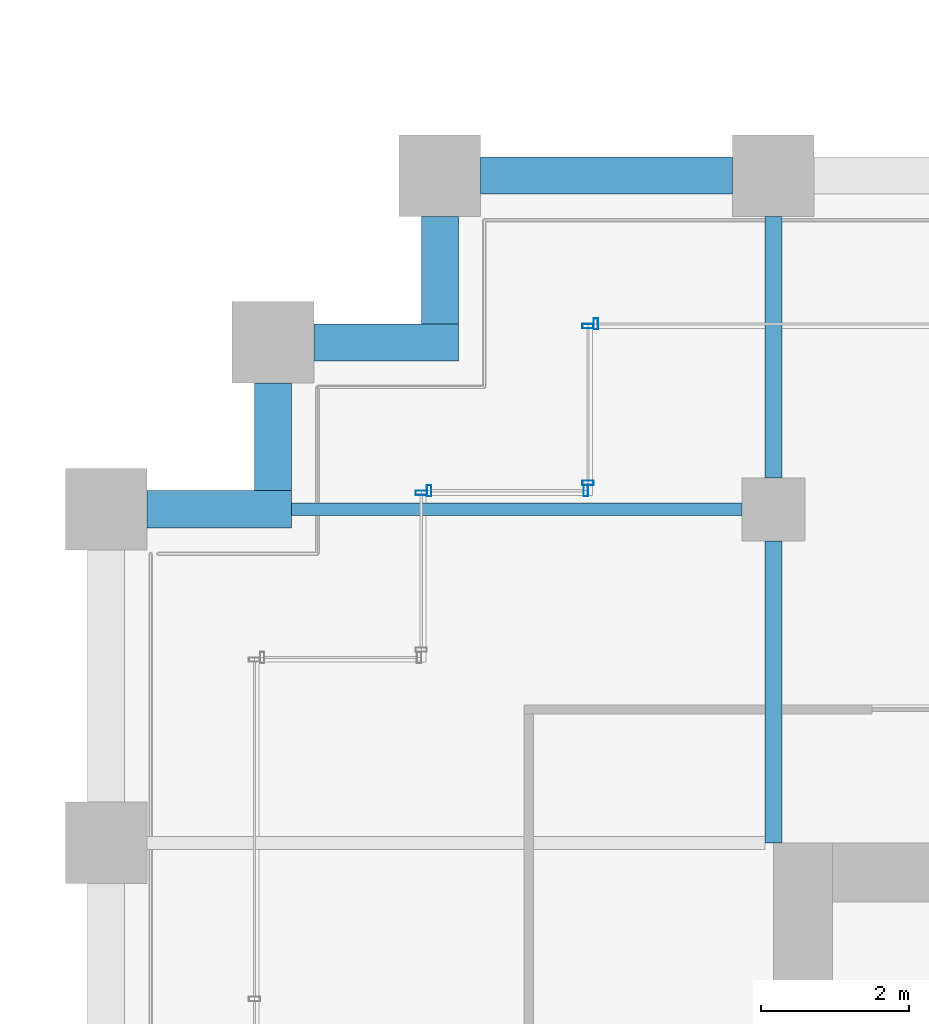
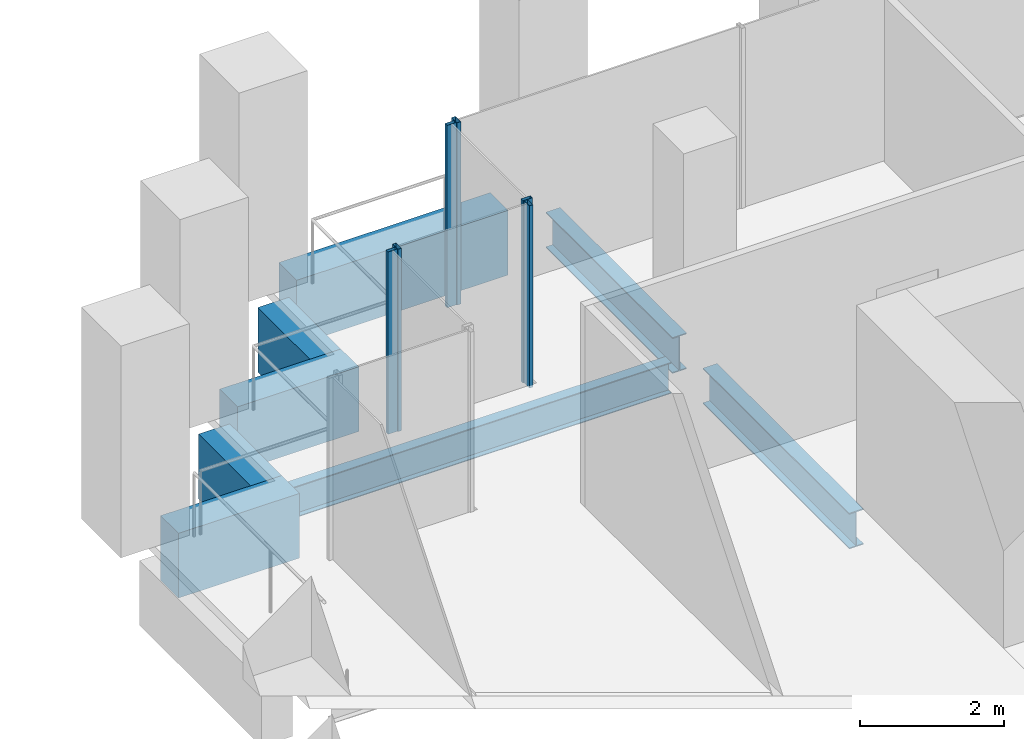
# One storey, part 41 of 54: 8 beams, 6 members, 4 elements without a shape of their own.
"""IFC4 building model written with IfcOpenShell, lengths in metres."""

from ifc_helpers import new_model, si_unit, direction, frame, origin, origin_2d, place, context, subcontext, project, spatial, rectangle, hollow_rectangle, i_section, extrude, material, material_profile, profile_set, type_object, element, aggregate, save


model = new_model("IFC4")

# Units and contexts
model_context = context("Model", 3, precision=1e-05, world=origin(), true_north=direction((0.0, 1.0)))
body_context = subcontext(model_context, "Body", "Model", "MODEL_VIEW")
ifc_project = project(units=[si_unit("LENGTHUNIT", "METRE"), si_unit("AREAUNIT", "SQUARE_METRE"), si_unit("VOLUMEUNIT", "CUBIC_METRE"), si_unit("PLANEANGLEUNIT", "RADIAN"), si_unit("MASSUNIT", "GRAM", prefix="KILO")], contexts=[model_context])

# Site, building, storey
site_placement = place(None, origin())
site = spatial("IfcSite", under=ifc_project, at=site_placement, CompositionType="ELEMENT")
building_placement = place(site_placement, origin())
building = spatial("IfcBuilding", under=site, at=building_placement, Name="Altepetl Exchange Towers", CompositionType="ELEMENT")
storey_placement = place(building_placement, frame((0.0, 0.0, 58.199951171875)))
storey = spatial("IfcBuildingStorey", under=building, at=storey_placement, Name="L13", CompositionType="ELEMENT", Elevation=58.199951171875)

# Beams
ifc_material_1 = material(Name="Steel S355", Category="steel")
ifc_material_profile_1 = material_profile(ifc_material_1, i_section(OverallWidth=0.166015625, OverallDepth=0.529052734375, WebThickness=0.009765625, FlangeThickness=0.013671875, at=origin_2d()), Name="W21X50")
ifc_profile_set_1 = profile_set([ifc_material_profile_1], Name="Steel S355")
beam_type_1 = type_object("IfcBeamType", Name="Floor beam W21X50", PredefinedType="BEAM", material=ifc_profile_set_1)
beam_1_placement = place(storey_placement, frame((97.0, 54.0, -0.41455078125), z_axis=(1.0, 0.0, 0.0), x_axis=(0.0, 1.0, 0.0)))
element("IfcBeam", 1, at=beam_1_placement, inside=storey, type_object=beam_type_1, Name="bm:B:L13:015", PredefinedType="BEAM", context=body_context, shape_type="SweptSolid", body=[
    extrude(i_section(OverallWidth=0.166015625, OverallDepth=0.529052734375, WebThickness=0.009765625, FlangeThickness=0.013671875, at=origin_2d()), origin(), (0.0, 0.0, 1.0), 6.074951171875),
])
ifc_material_profile_2 = material_profile(ifc_material_1, i_section(OverallWidth=0.22802734375, OverallDepth=0.60791015625, WebThickness=0.01123046875, FlangeThickness=0.017333984375, at=origin_2d()), Name="W24X76")
ifc_profile_set_2 = profile_set([ifc_material_profile_2], Name="Steel S355")
beam_type_2 = type_object("IfcBeamType", Name="Girder W24X76", PredefinedType="BEAM", material=ifc_profile_set_2)
beam_2_placement = place(storey_placement, frame((103.5, 57.949951171875, -0.453857421875), z_axis=(0.0, -1.0, 0.0), x_axis=(1.0, 0.0, 0.0)))
element("IfcBeam", 2, at=beam_2_placement, inside=storey, type_object=beam_type_2, Name="gd:B:L13:002", PredefinedType="BEAM", context=body_context, shape_type="SweptSolid", body=[
    extrude(i_section(OverallWidth=0.22802734375, OverallDepth=0.60791015625, WebThickness=0.01123046875, FlangeThickness=0.017333984375, at=origin_2d()), origin(), (0.0, 0.0, 1.0), 3.52490234375),
])
beam_3_placement = place(storey_placement, frame((103.5, 53.574951171875, -0.453857421875), z_axis=(0.0, -1.0, 0.0), x_axis=(1.0, 0.0, 0.0)))
element("IfcBeam", 3, at=beam_3_placement, inside=storey, type_object=beam_type_2, Name="gd:B:L13:003", PredefinedType="BEAM", context=body_context, shape_type="SweptSolid", body=[
    extrude(i_section(OverallWidth=0.22802734375, OverallDepth=0.60791015625, WebThickness=0.01123046875, FlangeThickness=0.017333984375, at=origin_2d()), origin(), (0.0, 0.0, 1.0), 4.074951171875),
])

# Curtain wall, member
ifc_material_2 = material(Name="Aluminium 6063-T6 glazing", Category="aluminium")
curtain_wall_type = type_object("IfcCurtainWallType", Name="Loggia glazing system", PredefinedType="NOTDEFINED", material=ifc_material_2)
curtain_wall_1_placement = place(storey_placement, origin())
curtain_wall_1 = element("IfcCurtainWall", 4, at=curtain_wall_1_placement, inside=storey, type_object=curtain_wall_type, Name="CW1 run", PredefinedType="NOTDEFINED")
ifc_material_3 = material(Name="Aluminium 6063-T6", Category="aluminium")
ifc_material_profile_3 = material_profile(ifc_material_3, hollow_rectangle(XDim=0.06005859375, YDim=0.14990234375, WallThickness=0.0029296875, at=origin_2d()), Name="Mullion 60x150 aluminium")
ifc_profile_set_3 = profile_set([ifc_material_profile_3], Name="Aluminium 6063-T6")
member_type = type_object("IfcMemberType", Name="Mullion 60x150 aluminium", PredefinedType="MULLION", material=ifc_profile_set_3)
member_1_placement = place(storey_placement, frame((101.10498046875, 56.5, 0.0), z_axis=(0.0, 0.0, 1.0), x_axis=(-1.0, 0.0, 0.0)))
member_1 = element("IfcMember", 5, at=member_1_placement, type_object=member_type, Name="MU1 mullion", PredefinedType="MULLION", context=body_context, shape_type="SweptSolid", body=[
    extrude(hollow_rectangle(XDim=0.06005859375, YDim=0.14990234375, WallThickness=0.0029296875, at=origin_2d()), origin(), (0.0, 0.0, 1.0), 3.10009765625),
])
aggregate(curtain_wall_1, [member_1])

# Curtain wall, members
curtain_wall_2_placement = place(storey_placement, origin())
curtain_wall_2 = element("IfcCurtainWall", 6, at=curtain_wall_2_placement, inside=storey, type_object=curtain_wall_type, Name="CW1 run", PredefinedType="NOTDEFINED")
member_2_placement = place(storey_placement, frame((101.0, 56.469970703125, 0.0), z_axis=(0.0, 0.0, 1.0), x_axis=(0.0, -1.0, 0.0)))
member_2 = element("IfcMember", 7, at=member_2_placement, type_object=member_type, Name="MU1 mullion", PredefinedType="MULLION", context=body_context, shape_type="SweptSolid", body=[
    extrude(hollow_rectangle(XDim=0.06005859375, YDim=0.14990234375, WallThickness=0.0029296875, at=origin_2d()), origin(), (0.0, 0.0, 1.0), 3.10009765625),
])
member_3_placement = place(storey_placement, frame((101.0, 54.35498046875, 0.0), z_axis=(0.0, 0.0, 1.0), x_axis=(0.0, -1.0, 0.0)))
member_3 = element("IfcMember", 8, at=member_3_placement, type_object=member_type, Name="MU1 mullion", PredefinedType="MULLION", context=body_context, shape_type="SweptSolid", body=[
    extrude(hollow_rectangle(XDim=0.06005859375, YDim=0.14990234375, WallThickness=0.0029296875, at=origin_2d()), origin(), (0.0, 0.0, 1.0), 3.10009765625),
])
aggregate(curtain_wall_2, [member_2, member_3])

curtain_wall_3_placement = place(storey_placement, origin())
curtain_wall_3 = element("IfcCurtainWall", 9, at=curtain_wall_3_placement, inside=storey, type_object=curtain_wall_type, Name="CW1 run", PredefinedType="NOTDEFINED")
member_4_placement = place(storey_placement, frame((100.969970703125, 54.25, 0.0), z_axis=(0.0, 0.0, 1.0), x_axis=(-1.0, 0.0, 0.0)))
member_4 = element("IfcMember", 10, at=member_4_placement, type_object=member_type, Name="MU1 mullion", PredefinedType="MULLION", context=body_context, shape_type="SweptSolid", body=[
    extrude(hollow_rectangle(XDim=0.06005859375, YDim=0.14990234375, WallThickness=0.0029296875, at=origin_2d()), origin(), (0.0, 0.0, 1.0), 3.10009765625),
])
member_5_placement = place(storey_placement, frame((98.85498046875, 54.25, 0.0), z_axis=(0.0, 0.0, 1.0), x_axis=(-1.0, 0.0, 0.0)))
member_5 = element("IfcMember", 11, at=member_5_placement, type_object=member_type, Name="MU1 mullion", PredefinedType="MULLION", context=body_context, shape_type="SweptSolid", body=[
    extrude(hollow_rectangle(XDim=0.06005859375, YDim=0.14990234375, WallThickness=0.0029296875, at=origin_2d()), origin(), (0.0, 0.0, 1.0), 3.10009765625),
])
aggregate(curtain_wall_3, [member_4, member_5])

# Curtain wall, member
curtain_wall_4_placement = place(storey_placement, origin())
curtain_wall_4 = element("IfcCurtainWall", 12, at=curtain_wall_4_placement, inside=storey, type_object=curtain_wall_type, Name="CW1 run", PredefinedType="NOTDEFINED")
member_6_placement = place(storey_placement, frame((98.75, 54.219970703125, 0.0), z_axis=(0.0, 0.0, 1.0), x_axis=(0.0, -1.0, 0.0)))
member_6 = element("IfcMember", 13, at=member_6_placement, type_object=member_type, Name="MU1 mullion", PredefinedType="MULLION", context=body_context, shape_type="SweptSolid", body=[
    extrude(hollow_rectangle(XDim=0.06005859375, YDim=0.14990234375, WallThickness=0.0029296875, at=origin_2d()), origin(), (0.0, 0.0, 1.0), 3.10009765625),
])
aggregate(curtain_wall_4, [member_6])

# Beams
ifc_material_4 = material(Name="Concrete C50/60 precast with cantera rosa facing", Category="concrete")
ifc_material_profile_4 = material_profile(ifc_material_4, rectangle(XDim=0.5, YDim=1.10009765625, at=origin_2d()), Name="500 x 1100")
ifc_profile_set_4 = profile_set([ifc_material_profile_4], Name="Concrete C50/60 precast with cantera rosa facing")
beam_type_3 = type_object("IfcBeamType", Name="Spandrel beam 500x1100 cantera rosa", PredefinedType="SPANDREL", material=ifc_profile_set_4)
beam_4_placement = place(storey_placement, frame((102.949951171875, 58.5, -0.699951171875), z_axis=(-1.0, 0.0, 0.0), x_axis=(0.0, -1.0, 0.0)))
element("IfcBeam", 14, at=beam_4_placement, inside=storey, type_object=beam_type_3, Name="sp:B:L13:022", PredefinedType="SPANDREL", context=body_context, shape_type="SweptSolid", body=[
    extrude(rectangle(XDim=0.5, YDim=1.10009765625, at=origin_2d()), origin(), (0.0, 0.0, 1.0), 3.39990234375),
])
beam_5_placement = place(storey_placement, frame((99.0, 57.949951171875, -0.699951171875), z_axis=(0.0, -1.0, 0.0), x_axis=(1.0, 0.0, 0.0)))
element("IfcBeam", 15, at=beam_5_placement, inside=storey, type_object=beam_type_3, Name="sp:B:L13:023", PredefinedType="SPANDREL", context=body_context, shape_type="SweptSolid", body=[
    extrude(rectangle(XDim=0.5, YDim=1.10009765625, at=origin_2d()), origin(), (0.0, 0.0, 1.0), 1.449951171875),
])
beam_6_placement = place(storey_placement, frame((99.25, 56.25, -0.699951171875), z_axis=(-1.0, 0.0, 0.0), x_axis=(0.0, -1.0, 0.0)))
element("IfcBeam", 16, at=beam_6_placement, inside=storey, type_object=beam_type_3, Name="sp:B:L13:024", PredefinedType="SPANDREL", context=body_context, shape_type="SweptSolid", body=[
    extrude(rectangle(XDim=0.5, YDim=1.10009765625, at=origin_2d()), origin(), (0.0, 0.0, 1.0), 1.949951171875),
])
beam_7_placement = place(storey_placement, frame((96.75, 55.699951171875, -0.699951171875), z_axis=(0.0, -1.0, 0.0), x_axis=(1.0, 0.0, 0.0)))
element("IfcBeam", 17, at=beam_7_placement, inside=storey, type_object=beam_type_3, Name="sp:B:L13:025", PredefinedType="SPANDREL", context=body_context, shape_type="SweptSolid", body=[
    extrude(rectangle(XDim=0.5, YDim=1.10009765625, at=origin_2d()), origin(), (0.0, 0.0, 1.0), 1.449951171875),
])
beam_8_placement = place(storey_placement, frame((97.0, 54.0, -0.699951171875), z_axis=(-1.0, 0.0, 0.0), x_axis=(0.0, -1.0, 0.0)))
element("IfcBeam", 18, at=beam_8_placement, inside=storey, type_object=beam_type_3, Name="sp:B:L13:026", PredefinedType="SPANDREL", context=body_context, shape_type="SweptSolid", body=[
    extrude(rectangle(XDim=0.5, YDim=1.10009765625, at=origin_2d()), origin(), (0.0, 0.0, 1.0), 1.949951171875),
])

save(model, "model.ifc")
